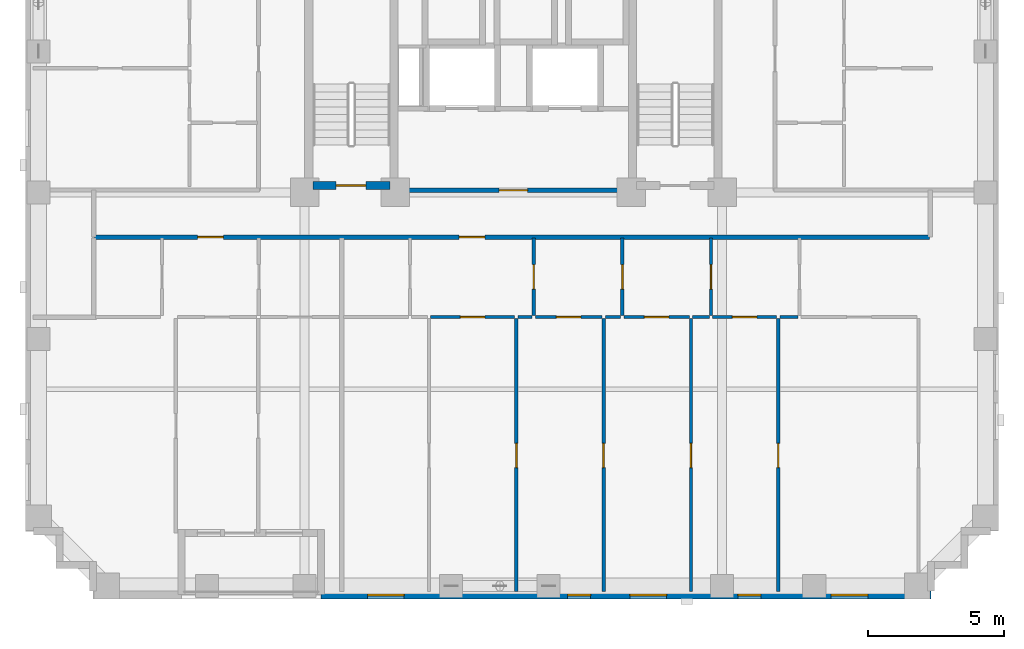
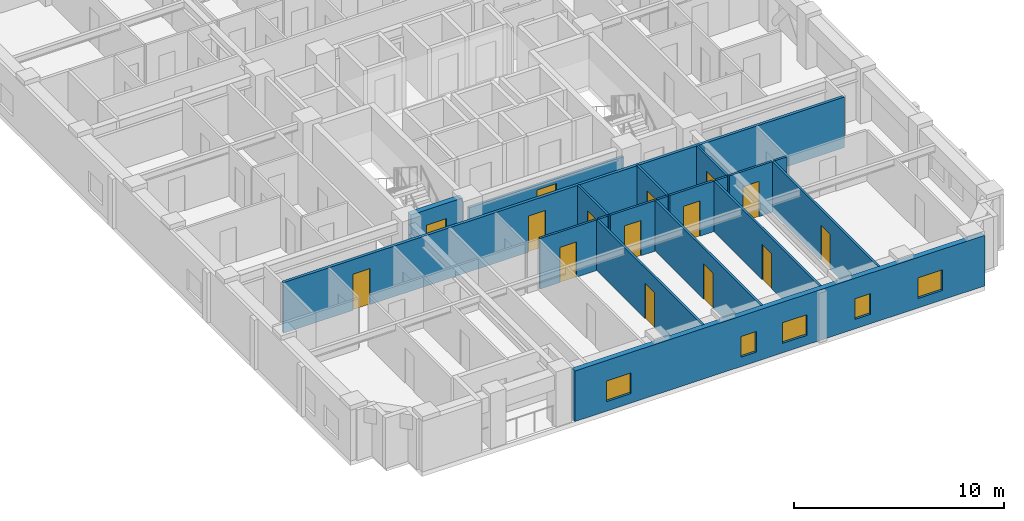
# One storey, part 3 of 12: 19 walls, 15 doors, 5 windows, 20 openings.
"""IFC4 building model written with IfcOpenShell, lengths in metres."""

from ifc_helpers import new_model, si_unit, derived_unit, direction, frame, frame_2d, origin, place, context, subcontext, project, spatial, rectangle, extrude, material, layer, layer_set, type_object, element, fill, save


model = new_model("IFC4")

# Units and contexts
model_context = context("Model", 3, precision=1e-05, world=origin(), true_north=direction((0.0, 1.0)))
body_context = subcontext(model_context, "Body", "Model", "MODEL_VIEW")
ifc_project = project(units=[si_unit("LENGTHUNIT", "METRE"), si_unit("AREAUNIT", "SQUARE_METRE"), si_unit("VOLUMEUNIT", "CUBIC_METRE"), si_unit("PLANEANGLEUNIT", "RADIAN"), si_unit("MASSUNIT", "GRAM", prefix="KILO"), derived_unit("THERMALTRANSMITTANCEUNIT", [(si_unit("MASSUNIT", "GRAM", prefix="KILO"), 1), (si_unit("TIMEUNIT", "SECOND"), -3), (si_unit("THERMODYNAMICTEMPERATUREUNIT", "KELVIN"), -1)])], contexts=[model_context])

# Site, building, storey
site_placement = place(None, origin())
site = spatial("IfcSite", under=ifc_project, at=site_placement, CompositionType="ELEMENT")
building_placement = place(site_placement, origin())
building = spatial("IfcBuilding", under=site, at=building_placement, Name="Korrvale Station Residences", CompositionType="ELEMENT")
storey_placement = place(building_placement, frame((0.0, 0.0, 81.5)))
storey = spatial("IfcBuildingStorey", under=building, at=storey_placement, Name="L22", CompositionType="ELEMENT", Elevation=81.5)

# Wall, opening, door
ifc_material_1 = material(Name="Concrete C60/75", Category="concrete")
ifc_layer_1 = layer(ifc_material_1, 0.300048828125, Name="Concrete C60/75")
ifc_layer_set_1 = layer_set([ifc_layer_1], Name="Concrete C60/75")
wall_type_1 = type_object("IfcWallType", Name="WAL-CORE-300-C60", PredefinedType="SHEAR", material=ifc_layer_set_1)
wall_1_placement = place(storey_placement, frame((18.10009765625, 15.25, 0.0), z_axis=(0.0, 0.0, 1.0), x_axis=(1.0, 0.0, 0.0)))
wall_1 = element("IfcWall", 1, at=wall_1_placement, inside=storey, type_object=wall_type_1, Name="L22 ST-1 Core Shear Wall South", PredefinedType="SHEAR", context=body_context, shape_type="SweptSolid", body=[
    extrude(rectangle(XDim=2.849853515625, YDim=0.300048828125, at=frame_2d((1.4248046875, 0.0))), origin(), (0.0, 0.0, 1.0), 2.93994140625),
])
opening_1_placement = place(wall_1_placement, frame((0.860107421875, 0.0, 0.0)))
opening_1 = element("IfcOpeningElement", 2, at=opening_1_placement, cuts=wall_1, Name="Opening SD-1100", PredefinedType="OPENING", context=body_context, shape_type="SweptSolid", body=[
    extrude(rectangle(XDim=1.10009765625, YDim=2.050048828125, at=frame_2d((0.550048828125, 1.02490234375))), frame((0.0, 0.16015625, 0.0), z_axis=(0.0, -1.0, 0.0), x_axis=(1.0, 0.0, 0.0)), (0.0, 0.0, 1.0), 0.320068359375),
])
ifc_material_2 = material(Name="Hollow-metal fire-rated stair door with closer", Category="steel")
door_type_1 = type_object("IfcDoorType", Name="DR-STAIR-1100", OperationType="NOTDEFINED", PredefinedType="DOOR", material=ifc_material_2)
door_1_placement = place(opening_1_placement, origin())
door_1 = element("IfcDoor", 3, at=door_1_placement, inside=storey, type_object=door_type_1, Name="L22 ST-1 Exit Stair Door", OperationType="SINGLE_SWING_LEFT", OverallHeight=2.050048828125, OverallWidth=1.10009765625, PredefinedType="DOOR", context=body_context, shape_type="SweptSolid", body=[
    extrude(rectangle(XDim=1.10009765625, YDim=2.050048828125, at=frame_2d((0.550048828125, 1.02490234375))), frame((0.0, 0.02490234375, 0.0), z_axis=(0.0, -1.0, 0.0), x_axis=(1.0, 0.0, 0.0)), (0.0, 0.0, 1.0), 0.050048828125),
])
fill(opening_1, door_1)

# Wall, openings, windows
ifc_material_3 = material(Name="Precast concrete C45/55", Category="concrete")
ifc_layer_2 = layer(ifc_material_3, 0.300048828125, Name="Precast concrete C45/55")
ifc_layer_set_2 = layer_set([ifc_layer_2], Name="Precast concrete C45/55")
wall_type_2 = type_object("IfcWallType", Name="WAL-EXT-PC300", PredefinedType="SOLIDWALL", material=ifc_layer_set_2)
wall_2_placement = place(storey_placement, frame((40.89990234375, 0.14990234375, 0.0), z_axis=(0.0, 0.0, 1.0), x_axis=(-1.0, 0.0, 0.0)))
wall_2 = element("IfcWall", 4, at=wall_2_placement, inside=storey, type_object=wall_type_2, Name="L22 South Exterior Precast Wall 1", PredefinedType="SOLIDWALL", context=body_context, shape_type="SweptSolid", body=[
    extrude(rectangle(XDim=22.5, YDim=0.300048828125, at=frame_2d((11.25, 0.0))), origin(), (0.0, 0.0, 1.0), 2.93994140625),
])
opening_2_placement = place(wall_2_placement, frame((19.425048828125, 0.0, 0.550048828125)))
opening_2 = element("IfcOpeningElement", 5, at=opening_2_placement, cuts=wall_2, Name="Opening W-10", PredefinedType="OPENING", context=body_context, shape_type="SweptSolid", body=[
    extrude(rectangle(XDim=1.35009765625, YDim=1.199951171875, at=frame_2d((0.675048828125, 0.60009765625))), frame((0.0, 0.16015625, 0.0), z_axis=(0.0, -1.0, 0.0), x_axis=(1.0, 0.0, 0.0)), (0.0, 0.0, 1.0), 0.320068359375),
])
opening_3_placement = place(wall_2_placement, frame((12.550048828125, 0.0, 0.550048828125)))
opening_3 = element("IfcOpeningElement", 6, at=opening_3_placement, cuts=wall_2, Name="Opening W-11", PredefinedType="OPENING", context=body_context, shape_type="SweptSolid", body=[
    extrude(rectangle(XDim=0.85009765625, YDim=1.199951171875, at=frame_2d((0.425048828125, 0.60009765625))), frame((0.0, 0.16015625, 0.0), z_axis=(0.0, -1.0, 0.0), x_axis=(1.0, 0.0, 0.0)), (0.0, 0.0, 1.0), 0.320068359375),
])
opening_4_placement = place(wall_2_placement, frame((9.75, 0.0, 0.550048828125)))
opening_4 = element("IfcOpeningElement", 7, at=opening_4_placement, cuts=wall_2, Name="Opening W-10", PredefinedType="OPENING", context=body_context, shape_type="SweptSolid", body=[
    extrude(rectangle(XDim=1.35009765625, YDim=1.199951171875, at=frame_2d((0.675048828125, 0.60009765625))), frame((0.0, 0.16015625, 0.0), z_axis=(0.0, -1.0, 0.0), x_axis=(1.0, 0.0, 0.0)), (0.0, 0.0, 1.0), 0.320068359375),
])
opening_5_placement = place(wall_2_placement, frame((6.264892578125, 0.0, 0.550048828125)))
opening_5 = element("IfcOpeningElement", 8, at=opening_5_placement, cuts=wall_2, Name="Opening W-11", PredefinedType="OPENING", context=body_context, shape_type="SweptSolid", body=[
    extrude(rectangle(XDim=0.85009765625, YDim=1.199951171875, at=frame_2d((0.425048828125, 0.60009765625))), frame((0.0, 0.16015625, 0.0), z_axis=(0.0, -1.0, 0.0), x_axis=(1.0, 0.0, 0.0)), (0.0, 0.0, 1.0), 0.320068359375),
])
opening_6_placement = place(wall_2_placement, frame((2.324951171875, 0.0, 0.550048828125)))
opening_6 = element("IfcOpeningElement", 9, at=opening_6_placement, cuts=wall_2, Name="Opening W-10", PredefinedType="OPENING", context=body_context, shape_type="SweptSolid", body=[
    extrude(rectangle(XDim=1.35009765625, YDim=1.199951171875, at=frame_2d((0.675048828125, 0.60009765625))), frame((0.0, 0.16015625, 0.0), z_axis=(0.0, -1.0, 0.0), x_axis=(1.0, 0.0, 0.0)), (0.0, 0.0, 1.0), 0.320068359375),
])
ifc_material_4 = material(Name="Thermally broken aluminium frame with triple low-e glazing", Category="aluminium")
window_type_1 = type_object("IfcWindowType", Name="WIN-W10", PartitioningType="SINGLE_PANEL", PredefinedType="WINDOW", material=ifc_material_4)
window_1_placement = place(opening_2_placement, origin())
window_1 = element("IfcWindow", 10, at=window_1_placement, inside=storey, type_object=window_type_1, Name="L22 Punched Window 05", OverallHeight=1.199951171875, OverallWidth=1.35009765625, PartitioningType="SINGLE_PANEL", PredefinedType="WINDOW", context=body_context, shape_type="SweptSolid", body=[
    extrude(rectangle(XDim=1.35009765625, YDim=1.199951171875, at=frame_2d((0.675048828125, 0.60009765625))), frame((0.0, 0.030029296875, 0.0), z_axis=(0.0, -1.0, 0.0), x_axis=(1.0, 0.0, 0.0)), (0.0, 0.0, 1.0), 0.06005859375),
])
fill(opening_2, window_1)
window_2_placement = place(opening_4_placement, origin())
window_2 = element("IfcWindow", 11, at=window_2_placement, inside=storey, type_object=window_type_1, Name="L22 Punched Window 07", OverallHeight=1.199951171875, OverallWidth=1.35009765625, PartitioningType="SINGLE_PANEL", PredefinedType="WINDOW", context=body_context, shape_type="SweptSolid", body=[
    extrude(rectangle(XDim=1.35009765625, YDim=1.199951171875, at=frame_2d((0.675048828125, 0.60009765625))), frame((0.0, 0.030029296875, 0.0), z_axis=(0.0, -1.0, 0.0), x_axis=(1.0, 0.0, 0.0)), (0.0, 0.0, 1.0), 0.06005859375),
])
fill(opening_4, window_2)
window_3_placement = place(opening_6_placement, origin())
window_3 = element("IfcWindow", 12, at=window_3_placement, inside=storey, type_object=window_type_1, Name="L22 Punched Window 09", OverallHeight=1.199951171875, OverallWidth=1.35009765625, PartitioningType="SINGLE_PANEL", PredefinedType="WINDOW", context=body_context, shape_type="SweptSolid", body=[
    extrude(rectangle(XDim=1.35009765625, YDim=1.199951171875, at=frame_2d((0.675048828125, 0.60009765625))), frame((0.0, 0.030029296875, 0.0), z_axis=(0.0, -1.0, 0.0), x_axis=(1.0, 0.0, 0.0)), (0.0, 0.0, 1.0), 0.06005859375),
])
fill(opening_6, window_3)
window_type_2 = type_object("IfcWindowType", Name="WIN-W11", PartitioningType="SINGLE_PANEL", PredefinedType="WINDOW", material=ifc_material_4)
window_4_placement = place(opening_3_placement, origin())
window_4 = element("IfcWindow", 13, at=window_4_placement, inside=storey, type_object=window_type_2, Name="L22 Punched Window 06", OverallHeight=1.199951171875, OverallWidth=0.85009765625, PartitioningType="SINGLE_PANEL", PredefinedType="WINDOW", context=body_context, shape_type="SweptSolid", body=[
    extrude(rectangle(XDim=0.85009765625, YDim=1.199951171875, at=frame_2d((0.425048828125, 0.60009765625))), frame((0.0, 0.030029296875, 0.0), z_axis=(0.0, -1.0, 0.0), x_axis=(1.0, 0.0, 0.0)), (0.0, 0.0, 1.0), 0.06005859375),
])
fill(opening_3, window_4)
window_5_placement = place(opening_5_placement, origin())
window_5 = element("IfcWindow", 14, at=window_5_placement, inside=storey, type_object=window_type_2, Name="L22 Punched Window 08", OverallHeight=1.199951171875, OverallWidth=0.85009765625, PartitioningType="SINGLE_PANEL", PredefinedType="WINDOW", context=body_context, shape_type="SweptSolid", body=[
    extrude(rectangle(XDim=0.85009765625, YDim=1.199951171875, at=frame_2d((0.425048828125, 0.60009765625))), frame((0.0, 0.030029296875, 0.0), z_axis=(0.0, -1.0, 0.0), x_axis=(1.0, 0.0, 0.0)), (0.0, 0.0, 1.0), 0.06005859375),
])
fill(opening_5, window_5)

# Wall, opening, door
ifc_material_5 = material(Name="Acoustic steel-stud gypsum board partition", Category="steel")
ifc_layer_3 = layer(ifc_material_5, 0.1201171875, Name="Acoustic steel-stud gypsum board partition")
ifc_layer_set_3 = layer_set([ifc_layer_3], Name="Acoustic steel-stud gypsum board partition")
wall_type_3 = type_object("IfcWallType", Name="WAL-PART-125", PredefinedType="PARTITIONING", material=ifc_layer_set_3)
wall_3_placement = place(storey_placement, frame((26.25, 10.4599609375, 0.0), z_axis=(0.0, 0.0, 1.0), x_axis=(0.0, 1.0, 0.0)))
wall_3 = element("IfcWall", 15, at=wall_3_placement, inside=storey, type_object=wall_type_3, Name="L22 Suite Partition U02-V12", PredefinedType="PARTITIONING", context=body_context, shape_type="SweptSolid", body=[
    extrude(rectangle(XDim=2.85009765625, YDim=0.1201171875, at=frame_2d((1.425048828125, 0.0))), origin(), (0.0, 0.0, 1.0), 2.93994140625),
])
opening_7_placement = place(wall_3_placement, frame((0.97509765625, 0.0, 0.0)))
opening_7 = element("IfcOpeningElement", 16, at=opening_7_placement, cuts=wall_3, Name="Opening DI-900", PredefinedType="OPENING", context=body_context, shape_type="SweptSolid", body=[
    extrude(rectangle(XDim=0.89990234375, YDim=2.050048828125, at=frame_2d((0.449951171875, 1.02490234375))), frame((0.0, 0.070068359375, 0.0), z_axis=(0.0, -1.0, 0.0), x_axis=(1.0, 0.0, 0.0)), (0.0, 0.0, 1.0), 0.14013671875),
])
ifc_material_6 = material(Name="Painted solid-core timber interior room door", Category="wood")
door_type_2 = type_object("IfcDoorType", Name="DR-INT-900", OperationType="NOTDEFINED", PredefinedType="DOOR", material=ifc_material_6)
door_2_placement = place(opening_7_placement, origin())
door_2 = element("IfcDoor", 17, at=door_2_placement, inside=storey, type_object=door_type_2, Name="L22 Studio Apartment L22-U02 Kitchen Door", OperationType="SINGLE_SWING_LEFT", OverallHeight=2.050048828125, OverallWidth=0.89990234375, PredefinedType="DOOR", context=body_context, shape_type="SweptSolid", body=[
    extrude(rectangle(XDim=0.89990234375, YDim=2.050048828125, at=frame_2d((0.449951171875, 1.02490234375))), frame((0.0, 0.02490234375, 0.0), z_axis=(0.0, -1.0, 0.0), x_axis=(1.0, 0.0, 0.0)), (0.0, 0.0, 1.0), 0.050048828125),
])
fill(opening_7, door_2)

wall_4_placement = place(storey_placement, frame((22.449951171875, 10.39990234375, 0.0), z_axis=(0.0, 0.0, 1.0), x_axis=(1.0, 0.0, 0.0)))
wall_4 = element("IfcWall", 18, at=wall_4_placement, inside=storey, type_object=wall_type_3, Name="L22 Suite Partition U02-H17", PredefinedType="PARTITIONING", context=body_context, shape_type="SweptSolid", body=[
    extrude(rectangle(XDim=3.10009765625, YDim=0.1201171875, at=frame_2d((1.550048828125, 0.0))), origin(), (0.0, 0.0, 1.0), 2.93994140625),
])
opening_8_placement = place(wall_4_placement, frame((1.10009765625, 0.0, 0.0)))
opening_8 = element("IfcOpeningElement", 19, at=opening_8_placement, cuts=wall_4, Name="Opening DI-900", PredefinedType="OPENING", context=body_context, shape_type="SweptSolid", body=[
    extrude(rectangle(XDim=0.89990234375, YDim=2.050048828125, at=frame_2d((0.449951171875, 1.02490234375))), frame((0.0, 0.070068359375, 0.0), z_axis=(0.0, -1.0, 0.0), x_axis=(1.0, 0.0, 0.0)), (0.0, 0.0, 1.0), 0.14013671875),
])
door_3_placement = place(opening_8_placement, origin())
door_3 = element("IfcDoor", 20, at=door_3_placement, inside=storey, type_object=door_type_2, Name="L22 Studio Apartment L22-U02 Kitchen Door", OperationType="SINGLE_SWING_RIGHT", OverallHeight=2.050048828125, OverallWidth=0.89990234375, PredefinedType="DOOR", context=body_context, shape_type="SweptSolid", body=[
    extrude(rectangle(XDim=0.89990234375, YDim=2.050048828125, at=frame_2d((0.449951171875, 1.02490234375))), frame((0.0, 0.02490234375, 0.0), z_axis=(0.0, -1.0, 0.0), x_axis=(1.0, 0.0, 0.0)), (0.0, 0.0, 1.0), 0.050048828125),
])
fill(opening_8, door_3)

# Wall
wall_5_placement = place(storey_placement, frame((25.669921875, 10.39990234375, 0.0), z_axis=(0.0, 0.0, 1.0), x_axis=(1.0, 0.0, 0.0)))
element("IfcWall", 21, at=wall_5_placement, inside=storey, type_object=wall_type_3, Name="L22 Suite Partition U02-H18", PredefinedType="PARTITIONING", context=body_context, shape_type="SweptSolid", body=[
    extrude(rectangle(XDim=0.52001953125, YDim=0.1201171875, at=frame_2d((0.260009765625, 0.0))), origin(), (0.0, 0.0, 1.0), 2.93994140625),
])

# Wall, opening, door
wall_6_placement = place(storey_placement, frame((29.52001953125, 10.4599609375, 0.0), z_axis=(0.0, 0.0, 1.0), x_axis=(0.0, 1.0, 0.0)))
wall_6 = element("IfcWall", 22, at=wall_6_placement, inside=storey, type_object=wall_type_3, Name="L22 Suite Partition U02-V23", PredefinedType="PARTITIONING", context=body_context, shape_type="SweptSolid", body=[
    extrude(rectangle(XDim=2.85009765625, YDim=0.1201171875, at=frame_2d((1.425048828125, 0.0))), origin(), (0.0, 0.0, 1.0), 2.93994140625),
])
opening_9_placement = place(wall_6_placement, frame((0.97509765625, 0.0, 0.0)))
opening_9 = element("IfcOpeningElement", 23, at=opening_9_placement, cuts=wall_6, Name="Opening DI-900", PredefinedType="OPENING", context=body_context, shape_type="SweptSolid", body=[
    extrude(rectangle(XDim=0.89990234375, YDim=2.050048828125, at=frame_2d((0.449951171875, 1.02490234375))), frame((0.0, 0.070068359375, 0.0), z_axis=(0.0, -1.0, 0.0), x_axis=(1.0, 0.0, 0.0)), (0.0, 0.0, 1.0), 0.14013671875),
])
door_4_placement = place(opening_9_placement, origin())
door_4 = element("IfcDoor", 24, at=door_4_placement, inside=storey, type_object=door_type_2, Name="L22 Studio Apartment L22-U02 Home Study Room Door", OperationType="SINGLE_SWING_LEFT", OverallHeight=2.050048828125, OverallWidth=0.89990234375, PredefinedType="DOOR", context=body_context, shape_type="SweptSolid", body=[
    extrude(rectangle(XDim=0.89990234375, YDim=2.050048828125, at=frame_2d((0.449951171875, 1.02490234375))), frame((0.0, 0.02490234375, 0.0), z_axis=(0.0, -1.0, 0.0), x_axis=(1.0, 0.0, 0.0)), (0.0, 0.0, 1.0), 0.050048828125),
])
fill(opening_9, door_4)

wall_7_placement = place(storey_placement, frame((26.31005859375, 10.39990234375, 0.0), z_axis=(0.0, 0.0, 1.0), x_axis=(1.0, 0.0, 0.0)))
wall_7 = element("IfcWall", 25, at=wall_7_placement, inside=storey, type_object=wall_type_3, Name="L22 Suite Partition U02-H28", PredefinedType="PARTITIONING", context=body_context, shape_type="SweptSolid", body=[
    extrude(rectangle(XDim=2.4599609375, YDim=0.1201171875, at=frame_2d((1.22998046875, 0.0))), origin(), (0.0, 0.0, 1.0), 2.93994140625),
])
opening_10_placement = place(wall_7_placement, frame((0.780029296875, 0.0, 0.0)))
opening_10 = element("IfcOpeningElement", 26, at=opening_10_placement, cuts=wall_7, Name="Opening DI-900", PredefinedType="OPENING", context=body_context, shape_type="SweptSolid", body=[
    extrude(rectangle(XDim=0.89990234375, YDim=2.050048828125, at=frame_2d((0.449951171875, 1.02490234375))), frame((0.0, 0.070068359375, 0.0), z_axis=(0.0, -1.0, 0.0), x_axis=(1.0, 0.0, 0.0)), (0.0, 0.0, 1.0), 0.14013671875),
])
door_5_placement = place(opening_10_placement, origin())
door_5 = element("IfcDoor", 27, at=door_5_placement, inside=storey, type_object=door_type_2, Name="L22 Studio Apartment L22-U02 Home Study Room Door", OperationType="SINGLE_SWING_RIGHT", OverallHeight=2.050048828125, OverallWidth=0.89990234375, PredefinedType="DOOR", context=body_context, shape_type="SweptSolid", body=[
    extrude(rectangle(XDim=0.89990234375, YDim=2.050048828125, at=frame_2d((0.449951171875, 1.02490234375))), frame((0.0, 0.02490234375, 0.0), z_axis=(0.0, -1.0, 0.0), x_axis=(1.0, 0.0, 0.0)), (0.0, 0.0, 1.0), 0.050048828125),
])
fill(opening_10, door_5)

# Wall
wall_8_placement = place(storey_placement, frame((28.889892578125, 10.39990234375, 0.0), z_axis=(0.0, 0.0, 1.0), x_axis=(1.0, 0.0, 0.0)))
element("IfcWall", 28, at=wall_8_placement, inside=storey, type_object=wall_type_3, Name="L22 Suite Partition U02-H29", PredefinedType="PARTITIONING", context=body_context, shape_type="SweptSolid", body=[
    extrude(rectangle(XDim=0.570068359375, YDim=0.1201171875, at=frame_2d((0.28515625, 0.0))), origin(), (0.0, 0.0, 1.0), 2.93994140625),
])

# Wall, opening, door
wall_9_placement = place(storey_placement, frame((32.7900390625, 10.4599609375, 0.0), z_axis=(0.0, 0.0, 1.0), x_axis=(0.0, 1.0, 0.0)))
wall_9 = element("IfcWall", 29, at=wall_9_placement, inside=storey, type_object=wall_type_3, Name="L22 Suite Partition U02-V34", PredefinedType="PARTITIONING", context=body_context, shape_type="SweptSolid", body=[
    extrude(rectangle(XDim=2.85009765625, YDim=0.1201171875, at=frame_2d((1.425048828125, 0.0))), origin(), (0.0, 0.0, 1.0), 2.93994140625),
])
opening_11_placement = place(wall_9_placement, frame((0.97509765625, 0.0, 0.0)))
opening_11 = element("IfcOpeningElement", 30, at=opening_11_placement, cuts=wall_9, Name="Opening DI-900", PredefinedType="OPENING", context=body_context, shape_type="SweptSolid", body=[
    extrude(rectangle(XDim=0.89990234375, YDim=2.050048828125, at=frame_2d((0.449951171875, 1.02490234375))), frame((0.0, 0.070068359375, 0.0), z_axis=(0.0, -1.0, 0.0), x_axis=(1.0, 0.0, 0.0)), (0.0, 0.0, 1.0), 0.14013671875),
])
door_6_placement = place(opening_11_placement, origin())
door_6 = element("IfcDoor", 31, at=door_6_placement, inside=storey, type_object=door_type_2, Name="L22 Studio Apartment L22-U02 Home Study Room Door", OperationType="SINGLE_SWING_LEFT", OverallHeight=2.050048828125, OverallWidth=0.89990234375, PredefinedType="DOOR", context=body_context, shape_type="SweptSolid", body=[
    extrude(rectangle(XDim=0.89990234375, YDim=2.050048828125, at=frame_2d((0.449951171875, 1.02490234375))), frame((0.0, 0.02490234375, 0.0), z_axis=(0.0, -1.0, 0.0), x_axis=(1.0, 0.0, 0.0)), (0.0, 0.0, 1.0), 0.050048828125),
])
fill(opening_11, door_6)

wall_10_placement = place(storey_placement, frame((29.580078125, 10.39990234375, 0.0), z_axis=(0.0, 0.0, 1.0), x_axis=(1.0, 0.0, 0.0)))
wall_10 = element("IfcWall", 32, at=wall_10_placement, inside=storey, type_object=wall_type_3, Name="L22 Suite Partition U02-H39", PredefinedType="PARTITIONING", context=body_context, shape_type="SweptSolid", body=[
    extrude(rectangle(XDim=2.409912109375, YDim=0.1201171875, at=frame_2d((1.205078125, 0.0))), origin(), (0.0, 0.0, 1.0), 2.93994140625),
])
opening_12_placement = place(wall_10_placement, frame((0.7548828125, 0.0, 0.0)))
opening_12 = element("IfcOpeningElement", 33, at=opening_12_placement, cuts=wall_10, Name="Opening DI-900", PredefinedType="OPENING", context=body_context, shape_type="SweptSolid", body=[
    extrude(rectangle(XDim=0.89990234375, YDim=2.050048828125, at=frame_2d((0.449951171875, 1.02490234375))), frame((0.0, 0.070068359375, 0.0), z_axis=(0.0, -1.0, 0.0), x_axis=(1.0, 0.0, 0.0)), (0.0, 0.0, 1.0), 0.14013671875),
])
door_7_placement = place(opening_12_placement, origin())
door_7 = element("IfcDoor", 34, at=door_7_placement, inside=storey, type_object=door_type_2, Name="L22 Studio Apartment L22-U02 Home Study Room Door", OperationType="SINGLE_SWING_RIGHT", OverallHeight=2.050048828125, OverallWidth=0.89990234375, PredefinedType="DOOR", context=body_context, shape_type="SweptSolid", body=[
    extrude(rectangle(XDim=0.89990234375, YDim=2.050048828125, at=frame_2d((0.449951171875, 1.02490234375))), frame((0.0, 0.02490234375, 0.0), z_axis=(0.0, -1.0, 0.0), x_axis=(1.0, 0.0, 0.0)), (0.0, 0.0, 1.0), 0.050048828125),
])
fill(opening_12, door_7)

# Wall
wall_11_placement = place(storey_placement, frame((32.110107421875, 10.39990234375, 0.0), z_axis=(0.0, 0.0, 1.0), x_axis=(1.0, 0.0, 0.0)))
element("IfcWall", 35, at=wall_11_placement, inside=storey, type_object=wall_type_3, Name="L22 Suite Partition U02-H310", PredefinedType="PARTITIONING", context=body_context, shape_type="SweptSolid", body=[
    extrude(rectangle(XDim=0.619873046875, YDim=0.1201171875, at=frame_2d((0.31005859375, 0.0))), origin(), (0.0, 0.0, 1.0), 2.93994140625),
])

# Wall, opening, door
wall_12_placement = place(storey_placement, frame((32.85009765625, 10.39990234375, 0.0), z_axis=(0.0, 0.0, 1.0), x_axis=(1.0, 0.0, 0.0)))
wall_12 = element("IfcWall", 36, at=wall_12_placement, inside=storey, type_object=wall_type_3, Name="L22 Suite Partition U02-H410", PredefinedType="PARTITIONING", context=body_context, shape_type="SweptSolid", body=[
    extrude(rectangle(XDim=2.35986328125, YDim=0.1201171875, at=frame_2d((1.179931640625, 0.0))), origin(), (0.0, 0.0, 1.0), 2.93994140625),
])
opening_13_placement = place(wall_12_placement, frame((0.72998046875, 0.0, 0.0)))
opening_13 = element("IfcOpeningElement", 37, at=opening_13_placement, cuts=wall_12, Name="Opening DI-900", PredefinedType="OPENING", context=body_context, shape_type="SweptSolid", body=[
    extrude(rectangle(XDim=0.89990234375, YDim=2.050048828125, at=frame_2d((0.449951171875, 1.02490234375))), frame((0.0, 0.070068359375, 0.0), z_axis=(0.0, -1.0, 0.0), x_axis=(1.0, 0.0, 0.0)), (0.0, 0.0, 1.0), 0.14013671875),
])
door_8_placement = place(opening_13_placement, origin())
door_8 = element("IfcDoor", 38, at=door_8_placement, inside=storey, type_object=door_type_2, Name="L22 Studio Apartment L22-U02 Utility and Laundry Room Door", OperationType="SINGLE_SWING_RIGHT", OverallHeight=2.050048828125, OverallWidth=0.89990234375, PredefinedType="DOOR", context=body_context, shape_type="SweptSolid", body=[
    extrude(rectangle(XDim=0.89990234375, YDim=2.050048828125, at=frame_2d((0.449951171875, 1.02490234375))), frame((0.0, 0.02490234375, 0.0), z_axis=(0.0, -1.0, 0.0), x_axis=(1.0, 0.0, 0.0)), (0.0, 0.0, 1.0), 0.050048828125),
])
fill(opening_13, door_8)

# Wall
wall_13_placement = place(storey_placement, frame((35.330078125, 10.39990234375, 0.0), z_axis=(0.0, 0.0, 1.0), x_axis=(1.0, 0.0, 0.0)))
element("IfcWall", 39, at=wall_13_placement, inside=storey, type_object=wall_type_3, Name="L22 Suite Partition U02-H411", PredefinedType="PARTITIONING", context=body_context, shape_type="SweptSolid", body=[
    extrude(rectangle(XDim=0.669921875, YDim=0.1201171875, at=frame_2d((0.3349609375, 0.0))), origin(), (0.0, 0.0, 1.0), 2.93994140625),
])

# Wall, opening, door
wall_14_placement = place(storey_placement, frame((25.610107421875, 0.280029296875, 0.0), z_axis=(0.0, 0.0, 1.0), x_axis=(0.0, 1.0, 0.0)))
wall_14 = element("IfcWall", 40, at=wall_14_placement, inside=storey, type_object=wall_type_3, Name="L22 Suite Partition U02-V78", PredefinedType="PARTITIONING", context=body_context, shape_type="SweptSolid", body=[
    extrude(rectangle(XDim=10.06005859375, YDim=0.1201171875, at=frame_2d((5.030029296875, 0.0))), origin(), (0.0, 0.0, 1.0), 2.93994140625),
])
opening_14_placement = place(wall_14_placement, frame((4.56494140625, 0.0, 0.0)))
opening_14 = element("IfcOpeningElement", 41, at=opening_14_placement, cuts=wall_14, Name="Opening DI-900", PredefinedType="OPENING", context=body_context, shape_type="SweptSolid", body=[
    extrude(rectangle(XDim=0.89990234375, YDim=2.050048828125, at=frame_2d((0.449951171875, 1.02490234375))), frame((0.0, 0.070068359375, 0.0), z_axis=(0.0, -1.0, 0.0), x_axis=(1.0, 0.0, 0.0)), (0.0, 0.0, 1.0), 0.14013671875),
])
door_9_placement = place(opening_14_placement, origin())
door_9 = element("IfcDoor", 42, at=door_9_placement, inside=storey, type_object=door_type_2, Name="L22 Studio Apartment L22-U02 Walk-In Wardrobe Door", OperationType="SINGLE_SWING_LEFT", OverallHeight=2.050048828125, OverallWidth=0.89990234375, PredefinedType="DOOR", context=body_context, shape_type="SweptSolid", body=[
    extrude(rectangle(XDim=0.89990234375, YDim=2.050048828125, at=frame_2d((0.449951171875, 1.02490234375))), frame((0.0, 0.02490234375, 0.0), z_axis=(0.0, -1.0, 0.0), x_axis=(1.0, 0.0, 0.0)), (0.0, 0.0, 1.0), 0.050048828125),
])
fill(opening_14, door_9)

wall_15_placement = place(storey_placement, frame((28.830078125, 0.280029296875, 0.0), z_axis=(0.0, 0.0, 1.0), x_axis=(0.0, 1.0, 0.0)))
wall_15 = element("IfcWall", 43, at=wall_15_placement, inside=storey, type_object=wall_type_3, Name="L22 Suite Partition U02-V89", PredefinedType="PARTITIONING", context=body_context, shape_type="SweptSolid", body=[
    extrude(rectangle(XDim=10.06005859375, YDim=0.1201171875, at=frame_2d((5.030029296875, 0.0))), origin(), (0.0, 0.0, 1.0), 2.93994140625),
])
opening_15_placement = place(wall_15_placement, frame((4.56494140625, 0.0, 0.0)))
opening_15 = element("IfcOpeningElement", 44, at=opening_15_placement, cuts=wall_15, Name="Opening DI-900", PredefinedType="OPENING", context=body_context, shape_type="SweptSolid", body=[
    extrude(rectangle(XDim=0.89990234375, YDim=2.050048828125, at=frame_2d((0.449951171875, 1.02490234375))), frame((0.0, 0.070068359375, 0.0), z_axis=(0.0, -1.0, 0.0), x_axis=(1.0, 0.0, 0.0)), (0.0, 0.0, 1.0), 0.14013671875),
])
door_10_placement = place(opening_15_placement, origin())
door_10 = element("IfcDoor", 45, at=door_10_placement, inside=storey, type_object=door_type_2, Name="L22 Studio Apartment L22-U02 Formal Dining Room Door", OperationType="SINGLE_SWING_RIGHT", OverallHeight=2.050048828125, OverallWidth=0.89990234375, PredefinedType="DOOR", context=body_context, shape_type="SweptSolid", body=[
    extrude(rectangle(XDim=0.89990234375, YDim=2.050048828125, at=frame_2d((0.449951171875, 1.02490234375))), frame((0.0, 0.02490234375, 0.0), z_axis=(0.0, -1.0, 0.0), x_axis=(1.0, 0.0, 0.0)), (0.0, 0.0, 1.0), 0.050048828125),
])
fill(opening_15, door_10)

wall_16_placement = place(storey_placement, frame((32.050048828125, 0.280029296875, 0.0), z_axis=(0.0, 0.0, 1.0), x_axis=(0.0, 1.0, 0.0)))
wall_16 = element("IfcWall", 46, at=wall_16_placement, inside=storey, type_object=wall_type_3, Name="L22 Suite Partition U02-V910", PredefinedType="PARTITIONING", context=body_context, shape_type="SweptSolid", body=[
    extrude(rectangle(XDim=10.06005859375, YDim=0.1201171875, at=frame_2d((5.030029296875, 0.0))), origin(), (0.0, 0.0, 1.0), 2.93994140625),
])
opening_16_placement = place(wall_16_placement, frame((4.56494140625, 0.0, 0.0)))
opening_16 = element("IfcOpeningElement", 47, at=opening_16_placement, cuts=wall_16, Name="Opening DI-900", PredefinedType="OPENING", context=body_context, shape_type="SweptSolid", body=[
    extrude(rectangle(XDim=0.89990234375, YDim=2.050048828125, at=frame_2d((0.449951171875, 1.02490234375))), frame((0.0, 0.070068359375, 0.0), z_axis=(0.0, -1.0, 0.0), x_axis=(1.0, 0.0, 0.0)), (0.0, 0.0, 1.0), 0.14013671875),
])
door_11_placement = place(opening_16_placement, origin())
door_11 = element("IfcDoor", 48, at=door_11_placement, inside=storey, type_object=door_type_2, Name="L22 Studio Apartment L22-U02 Formal Dining Room Door", OperationType="SINGLE_SWING_LEFT", OverallHeight=2.050048828125, OverallWidth=0.89990234375, PredefinedType="DOOR", context=body_context, shape_type="SweptSolid", body=[
    extrude(rectangle(XDim=0.89990234375, YDim=2.050048828125, at=frame_2d((0.449951171875, 1.02490234375))), frame((0.0, 0.02490234375, 0.0), z_axis=(0.0, -1.0, 0.0), x_axis=(1.0, 0.0, 0.0)), (0.0, 0.0, 1.0), 0.050048828125),
])
fill(opening_16, door_11)

wall_17_placement = place(storey_placement, frame((35.27001953125, 0.280029296875, 0.0), z_axis=(0.0, 0.0, 1.0), x_axis=(0.0, 1.0, 0.0)))
wall_17 = element("IfcWall", 49, at=wall_17_placement, inside=storey, type_object=wall_type_3, Name="L22 Suite Partition U02-V1011", PredefinedType="PARTITIONING", context=body_context, shape_type="SweptSolid", body=[
    extrude(rectangle(XDim=10.06005859375, YDim=0.1201171875, at=frame_2d((5.030029296875, 0.0))), origin(), (0.0, 0.0, 1.0), 2.93994140625),
])
opening_17_placement = place(wall_17_placement, frame((4.56494140625, 0.0, 0.0)))
opening_17 = element("IfcOpeningElement", 50, at=opening_17_placement, cuts=wall_17, Name="Opening DI-900", PredefinedType="OPENING", context=body_context, shape_type="SweptSolid", body=[
    extrude(rectangle(XDim=0.89990234375, YDim=2.050048828125, at=frame_2d((0.449951171875, 1.02490234375))), frame((0.0, 0.070068359375, 0.0), z_axis=(0.0, -1.0, 0.0), x_axis=(1.0, 0.0, 0.0)), (0.0, 0.0, 1.0), 0.14013671875),
])
door_12_placement = place(opening_17_placement, origin())
door_12 = element("IfcDoor", 51, at=door_12_placement, inside=storey, type_object=door_type_2, Name="L22 Studio Apartment L22-U02 Formal Dining Room Door", OperationType="SINGLE_SWING_RIGHT", OverallHeight=2.050048828125, OverallWidth=0.89990234375, PredefinedType="DOOR", context=body_context, shape_type="SweptSolid", body=[
    extrude(rectangle(XDim=0.89990234375, YDim=2.050048828125, at=frame_2d((0.449951171875, 1.02490234375))), frame((0.0, 0.02490234375, 0.0), z_axis=(0.0, -1.0, 0.0), x_axis=(1.0, 0.0, 0.0)), (0.0, 0.0, 1.0), 0.050048828125),
])
fill(opening_17, door_12)

ifc_material_7 = material(Name="Fire-rated twin-stud gypsum and mineral wool shaftwall assembly", Category="gypsum")
ifc_layer_4 = layer(ifc_material_7, 0.159912109375, Name="Fire-rated twin-stud gypsum and mineral wool shaftwall assembly")
ifc_layer_set_4 = layer_set([ifc_layer_4], Name="Fire-rated twin-stud gypsum and mineral wool shaftwall assembly")
wall_type_4 = type_object("IfcWallType", Name="WAL-PART-200", PredefinedType="PARTITIONING", material=ifc_layer_set_4)
wall_18_placement = place(storey_placement, frame((21.25, 15.080078125, 0.0), z_axis=(0.0, 0.0, 1.0), x_axis=(1.0, 0.0, 0.0)))
wall_18 = element("IfcWall", 52, at=wall_18_placement, inside=storey, type_object=wall_type_4, Name="L22 Core Partition CW-FFL-S", PredefinedType="PARTITIONING", context=body_context, shape_type="SweptSolid", body=[
    extrude(rectangle(XDim=8.5, YDim=0.159912109375, at=frame_2d((4.25, 0.0))), origin(), (0.0, 0.0, 1.0), 2.30908203125),
])
opening_18_placement = place(wall_18_placement, frame((3.72509765625, 0.0, 0.0)))
opening_18 = element("IfcOpeningElement", 53, at=opening_18_placement, cuts=wall_18, Name="Opening FD-1050", PredefinedType="OPENING", context=body_context, shape_type="SweptSolid", body=[
    extrude(rectangle(XDim=1.050048828125, YDim=2.050048828125, at=frame_2d((0.52490234375, 1.02490234375))), frame((0.0, 0.08984375, 0.0), z_axis=(0.0, -1.0, 0.0), x_axis=(1.0, 0.0, 0.0)), (0.0, 0.0, 1.0), 0.179931640625),
])
ifc_material_8 = material(Name="Fire-rated mineral-core timber lobby door", Category="wood")
door_type_3 = type_object("IfcDoorType", Name="DR-CORE-1050", OperationType="NOTDEFINED", PredefinedType="DOOR", material=ifc_material_8)
door_13_placement = place(opening_18_placement, origin())
door_13 = element("IfcDoor", 54, at=door_13_placement, inside=storey, type_object=door_type_3, Name="L22 Firefighting Lobby Entry Door", OperationType="SINGLE_SWING_LEFT", OverallHeight=2.050048828125, OverallWidth=1.050048828125, PredefinedType="DOOR", context=body_context, shape_type="SweptSolid", body=[
    extrude(rectangle(XDim=1.050048828125, YDim=2.050048828125, at=frame_2d((0.52490234375, 1.02490234375))), frame((0.0, 0.02490234375, 0.0), z_axis=(0.0, -1.0, 0.0), x_axis=(1.0, 0.0, 0.0)), (0.0, 0.0, 1.0), 0.050048828125),
])
fill(opening_18, door_13)

# Wall, openings, doors
wall_19_placement = place(storey_placement, frame((10.050048828125, 13.35009765625, 0.0), z_axis=(0.0, 0.0, 1.0), x_axis=(1.0, 0.0, 0.0)))
wall_19 = element("IfcWall", 55, at=wall_19_placement, inside=storey, type_object=wall_type_4, Name="L22 Rated Corridor Wall S", PredefinedType="PARTITIONING", context=body_context, shape_type="SweptSolid", body=[
    extrude(rectangle(XDim=30.800048828125, YDim=0.159912109375, at=frame_2d((15.39990234375, 0.0))), origin(), (0.0, 0.0, 1.0), 2.93994140625),
])
opening_19_placement = place(wall_19_placement, frame((3.800048828125, 0.0, 0.0)))
opening_19 = element("IfcOpeningElement", 56, at=opening_19_placement, cuts=wall_19, Name="Opening UD-950", PredefinedType="OPENING", context=body_context, shape_type="SweptSolid", body=[
    extrude(rectangle(XDim=0.949951171875, YDim=2.10009765625, at=frame_2d((0.47509765625, 1.050048828125))), frame((0.0, 0.08984375, 0.0), z_axis=(0.0, -1.0, 0.0), x_axis=(1.0, 0.0, 0.0)), (0.0, 0.0, 1.0), 0.179931640625),
])
opening_20_placement = place(wall_19_placement, frame((13.445068359375, 0.0, 0.0)))
opening_20 = element("IfcOpeningElement", 57, at=opening_20_placement, cuts=wall_19, Name="Opening UD-950", PredefinedType="OPENING", context=body_context, shape_type="SweptSolid", body=[
    extrude(rectangle(XDim=0.949951171875, YDim=2.10009765625, at=frame_2d((0.47509765625, 1.050048828125))), frame((0.0, 0.08984375, 0.0), z_axis=(0.0, -1.0, 0.0), x_axis=(1.0, 0.0, 0.0)), (0.0, 0.0, 1.0), 0.179931640625),
])
ifc_material_9 = material(Name="Solid-core acoustic oak apartment entrance door", Category="timber")
door_type_4 = type_object("IfcDoorType", Name="DR-UNIT-950", OperationType="NOTDEFINED", PredefinedType="DOOR", material=ifc_material_9)
door_14_placement = place(opening_19_placement, origin())
door_14 = element("IfcDoor", 58, at=door_14_placement, inside=storey, type_object=door_type_4, Name="L22 Apartment L22-U01 Entrance Door", OperationType="SINGLE_SWING_LEFT", OverallHeight=2.10009765625, OverallWidth=0.949951171875, PredefinedType="DOOR", context=body_context, shape_type="SweptSolid", body=[
    extrude(rectangle(XDim=0.949951171875, YDim=2.10009765625, at=frame_2d((0.47509765625, 1.050048828125))), frame((0.0, 0.02490234375, 0.0), z_axis=(0.0, -1.0, 0.0), x_axis=(1.0, 0.0, 0.0)), (0.0, 0.0, 1.0), 0.050048828125),
])
fill(opening_19, door_14)
door_15_placement = place(opening_20_placement, origin())
door_15 = element("IfcDoor", 59, at=door_15_placement, inside=storey, type_object=door_type_4, Name="L22 Apartment L22-U02 Entrance Door", OperationType="SINGLE_SWING_RIGHT", OverallHeight=2.10009765625, OverallWidth=0.949951171875, PredefinedType="DOOR", context=body_context, shape_type="SweptSolid", body=[
    extrude(rectangle(XDim=0.949951171875, YDim=2.10009765625, at=frame_2d((0.47509765625, 1.050048828125))), frame((0.0, 0.02490234375, 0.0), z_axis=(0.0, -1.0, 0.0), x_axis=(1.0, 0.0, 0.0)), (0.0, 0.0, 1.0), 0.050048828125),
])
fill(opening_20, door_15)

save(model, "model.ifc")
